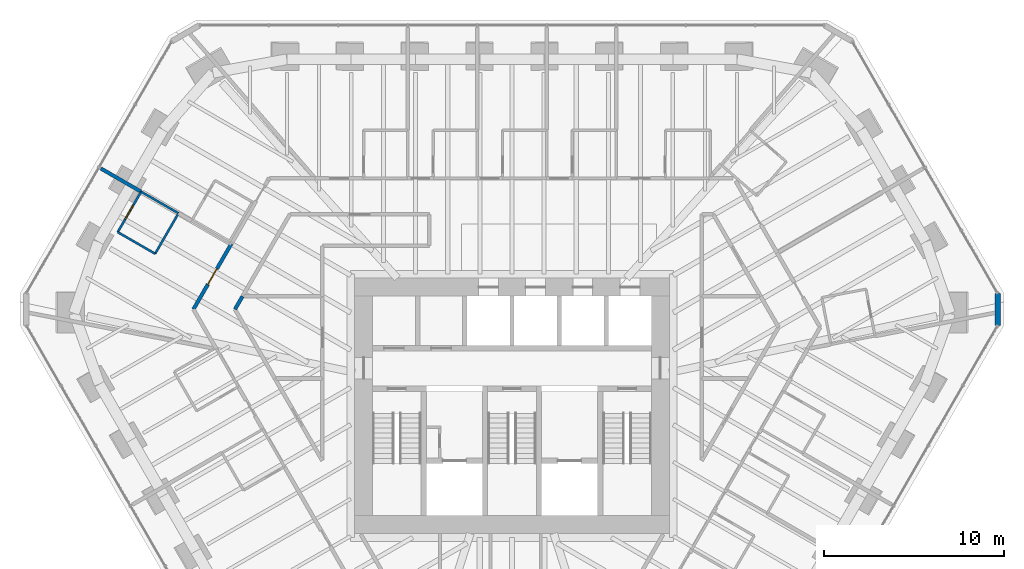
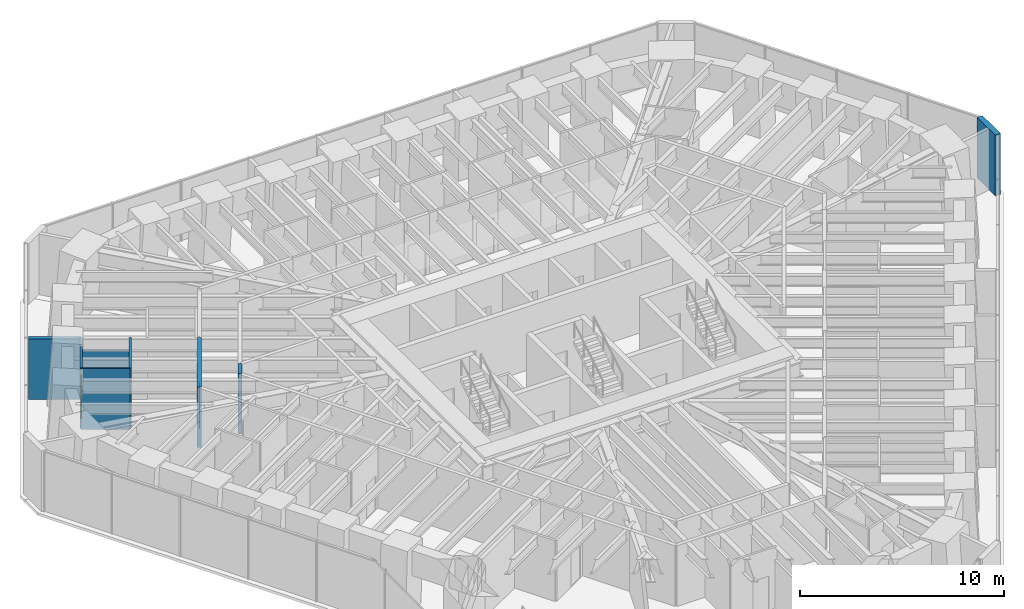
# One storey, part 14 of 17: 8 walls, 2 doors, 2 openings.
"""IFC4 building model written with IfcOpenShell, lengths in metres."""

import ifcopenshell
import ifcopenshell.guid

model = None  # the IFC model being written
_history = None  # IfcOwnerHistory: only IFC2X3 demands one
_inside = {}  # id of a spatial element -> (the spatial element, [elements in it])
_under = {}  # id of a project, library or spatial element -> (it, [spatial elements below it])
_declared = {}  # id of a project -> (the project, [libraries it declares])
_typed = {}  # id of a type object -> (the type object, [elements of that type])
_made_of = {}  # id of a material, layer set ... -> (it, [elements and type objects made of it])


def new_model(schema):
    """Start an empty IFC model of exactly this schema.

    Asked for "IFC4X3", IfcOpenShell would pick the latest addendum, in which some entities
    have other attributes; the version numbers below select the first issue.
    IFC2X3 requires an IfcOwnerHistory on every rooted entity: one is made here for all.
    """
    global model, _history
    if schema == "IFC4X3":
        model = ifcopenshell.file(schema_version=(4, 3, 0, 0))
    else:
        model = ifcopenshell.file(schema=schema)
    _inside.clear()
    _under.clear()
    _declared.clear()
    _typed.clear()
    _made_of.clear()
    _history = None
    if model.schema == "IFC2X3":
        org = make("IfcOrganization", Name="unknown")
        user = make(
            "IfcPersonAndOrganization",
            ThePerson=make("IfcPerson", FamilyName="unknown"),
            TheOrganization=org,
        )
        app = make(
            "IfcApplication",
            ApplicationDeveloper=org,
            Version="unknown",
            ApplicationFullName="unknown",
            ApplicationIdentifier="unknown",
        )
        _history = make(
            "IfcOwnerHistory",
            OwningUser=user,
            OwningApplication=app,
            ChangeAction="ADDED",
            CreationDate=0,
        )
    return model


def make(cls, **values):
    """One entity of the class cls with the attributes given. An attribute that is None is left unset."""
    return model.create_entity(
        cls, **{name: value for name, value in values.items() if value is not None}
    )


def rooted(cls, **values):
    """An entity with a GlobalId (a new one), such as an element, a storey or a relation."""
    return make(cls, GlobalId=ifcopenshell.guid.new(), OwnerHistory=_history, **values)


def si_unit(unit_type, name, prefix=None):
    """IfcSIUnit, for example si_unit("LENGTHUNIT", "METRE", prefix="MILLI")."""
    return make("IfcSIUnit", UnitType=unit_type, Prefix=prefix, Name=name)


def assignment(units):
    """IfcUnitAssignment: the units of a project."""
    return None if units is None else make("IfcUnitAssignment", Units=units)


def point(xyz):
    """IfcCartesianPoint."""
    return None if xyz is None else make("IfcCartesianPoint", Coordinates=xyz)


def direction(xyz):
    """IfcDirection."""
    return None if xyz is None else make("IfcDirection", DirectionRatios=xyz)


def frame(location, z_axis=None, x_axis=None):
    """IfcAxis2Placement3D, a coordinate frame: its origin and axes. An axis left out is left unset."""
    return make(
        "IfcAxis2Placement3D",
        Location=point(location),
        Axis=direction(z_axis),
        RefDirection=direction(x_axis),
    )


def frame_2d(location, x_axis=None):
    """IfcAxis2Placement2D, a coordinate frame in the plane: its origin and x axis."""
    return make(
        "IfcAxis2Placement2D", Location=point(location), RefDirection=direction(x_axis)
    )


def origin():
    """The frame at (0, 0, 0) with its axes left unset."""
    return frame((0.0, 0.0, 0.0))


def place(relative_to, where):
    """IfcLocalPlacement: puts the frame where relative to a parent placement (None: the world)."""
    return make(
        "IfcLocalPlacement", PlacementRelTo=relative_to, RelativePlacement=where
    )


def context(
    kind, dimensions, precision=None, world=None, true_north=None, identifier=None
):
    """IfcGeometricRepresentationContext, for example the 3D "Model" context."""
    return make(
        "IfcGeometricRepresentationContext",
        ContextIdentifier=identifier,
        ContextType=kind,
        CoordinateSpaceDimension=dimensions,
        Precision=precision,
        WorldCoordinateSystem=world,
        TrueNorth=true_north,
    )


def subcontext(parent, identifier, kind, view, scale=None):
    """IfcGeometricRepresentationSubContext, for example "Body" below "Model"."""
    return make(
        "IfcGeometricRepresentationSubContext",
        ContextIdentifier=identifier,
        ContextType=kind,
        ParentContext=parent,
        TargetScale=scale,
        TargetView=view,
    )


def project(units=None, contexts=None):
    """IfcProject with its units and contexts."""
    return rooted(
        "IfcProject",
        Name="project",
        RepresentationContexts=contexts,
        UnitsInContext=assignment(units),
    )


def spatial(cls, under=None, at=None, **own):
    """A site, building, storey or space (cls), placed at a placement, below another one or the project."""
    s = rooted(cls, ObjectPlacement=at, **own)
    if under is not None:
        _under.setdefault(under.id(), (under, []))[1].append(s)
    return s


def profile(cls, at=None, kind="AREA", **sizes):
    """A parametric profile (cls). Its sizes go by their IFC names, for example OverallWidth=200.0."""
    return make(cls, ProfileType=kind, Position=at, **sizes)


def rectangle(**sizes):
    """IfcRectangleProfileDef."""
    return profile("IfcRectangleProfileDef", **sizes)


def extrude(swept, where, along, depth):
    """IfcExtrudedAreaSolid: the profile swept, set in the frame where, extruded along a direction by depth."""
    return make(
        "IfcExtrudedAreaSolid",
        SweptArea=swept,
        Position=where,
        ExtrudedDirection=direction(along),
        Depth=depth,
    )


def shape(context_of_items, identifier, shape_type, items):
    """IfcShapeRepresentation: the items that make up one representation, for example the "Body"."""
    return make(
        "IfcShapeRepresentation",
        ContextOfItems=context_of_items,
        RepresentationIdentifier=identifier,
        RepresentationType=shape_type,
        Items=items,
    )


def material(Name=None, Category=None):
    """IfcMaterial."""
    return make("IfcMaterial", Name=Name, Category=Category)


def layer(
    of_material, thickness, ventilated=None, Name=None, Category=None, Priority=None
):
    """IfcMaterialLayer: one layer of a wall or slab, of a material (None: an air gap)."""
    return make(
        "IfcMaterialLayer",
        Material=of_material,
        LayerThickness=thickness,
        IsVentilated=ventilated,
        Name=Name,
        Category=Category,
        Priority=Priority,
    )


def layer_set(layers, Name=None):
    """IfcMaterialLayerSet."""
    return make("IfcMaterialLayerSet", MaterialLayers=layers, LayerSetName=Name)


def made_of(thing, what):
    """Note that an element or type object is made of a material, layer set ...; save() writes the relation."""
    if what is not None:
        _made_of.setdefault(what.id(), (what, []))[1].append(thing)
    return thing


def type_object(cls, material=None, **own):
    """A type object (cls), such as IfcWallType, which elements share."""
    return made_of(rooted(cls, **own), material)


def element(
    cls,
    number,
    at=None,
    inside=None,
    cuts=None,
    type_object=None,
    material=None,
    context=None,
    identifier="Body",
    shape_type=None,
    held_by="IfcProductDefinitionShape",
    body=None,
    shapes=None,
    **own,
):
    """One element of the class cls, such as IfcWall. Its Tag is "e" and its number.

    at: its placement. inside: the storey or other place that contains it. cuts: it is an
    opening in that element (IfcRelVoidsElement). A single representation is given by context,
    identifier, shape_type and body (its items); several are given by shapes. held_by: the class
    of the entity that holds the representations. save() writes the other relations.
    """
    e = rooted(cls, Tag="e%d" % number, ObjectPlacement=at, **own)
    if body is not None:
        shapes = [shape(context, identifier, shape_type, body)]
    if shapes is not None:
        e.Representation = make(held_by, Representations=shapes)
    if inside is not None:
        _inside.setdefault(inside.id(), (inside, []))[1].append(e)
    if cuts is not None:
        rooted(
            "IfcRelVoidsElement", RelatingBuildingElement=cuts, RelatedOpeningElement=e
        )
    if type_object is not None:
        _typed.setdefault(type_object.id(), (type_object, []))[1].append(e)
    return made_of(e, material)


def fill(opening, filler):
    """IfcRelFillsElement: the door or window that sits in an opening."""
    return rooted(
        "IfcRelFillsElement",
        RelatingOpeningElement=opening,
        RelatedBuildingElement=filler,
    )


def aggregate(whole, parts):
    """IfcRelAggregates: a whole, such as a stair, and the parts it consists of."""
    return rooted("IfcRelAggregates", RelatingObject=whole, RelatedObjects=parts)


def save(model, path):
    """Write the relations noted so far, then the file.

    IfcRelAggregates (storeys below a building ...), IfcRelContainedInSpatialStructure (elements
    in a storey), IfcRelDefinesByType, IfcRelAssociatesMaterial and IfcRelDeclares: one each for
    every whole, place, type object, material and project.
    """
    for whole, parts in _under.values():
        aggregate(whole, parts)
    for where, things in _inside.values():
        rooted(
            "IfcRelContainedInSpatialStructure",
            RelatedElements=things,
            RelatingStructure=where,
        )
    for kind, things in _typed.values():
        rooted("IfcRelDefinesByType", RelatedObjects=things, RelatingType=kind)
    for what, things in _made_of.values():
        rooted("IfcRelAssociatesMaterial", RelatedObjects=things, RelatingMaterial=what)
    for by, libraries in _declared.values():
        rooted("IfcRelDeclares", RelatingContext=by, RelatedDefinitions=libraries)
    model.write(path)


model = new_model("IFC4")

# Units and contexts
model_context = context("Model", 3, precision=1e-05, world=origin(), true_north=direction((0.0, 1.0)))
body_context = subcontext(model_context, "Body", "Model", "MODEL_VIEW")
ifc_project = project(units=[si_unit("LENGTHUNIT", "METRE"), si_unit("AREAUNIT", "SQUARE_METRE"), si_unit("VOLUMEUNIT", "CUBIC_METRE"), si_unit("PLANEANGLEUNIT", "RADIAN"), si_unit("MASSUNIT", "GRAM", prefix="KILO")], contexts=[model_context])

# Site, building, storey
site_placement = place(None, origin())
site = spatial("IfcSite", under=ifc_project, at=site_placement, CompositionType="ELEMENT")
building_placement = place(site_placement, origin())
building = spatial("IfcBuilding", under=site, at=building_placement, Name="Sandreach Pilgrim Tower", CompositionType="ELEMENT")
storey_placement = place(building_placement, frame((0.0, 0.0, 240.199951171875)))
storey = spatial("IfcBuildingStorey", under=building, at=storey_placement, Name="L60", CompositionType="ELEMENT", Elevation=240.199951171875)

# Wall
ifc_material_1 = material(Name="Moisture-resistant gypsum board on steel studs", Category="steel")
ifc_layer_1 = layer(ifc_material_1, 0.1201171875)
ifc_layer_set_1 = layer_set([ifc_layer_1], Name="Bathroom partition 120")
wall_type_1 = type_object("IfcWallType", Name="Bathroom partition 120", PredefinedType="PARTITIONING", material=ifc_layer_set_1)
wall_1_placement = place(storey_placement, frame((-21.929931640625, 9.659912109375, 0.0), z_axis=(0.0, 0.0, 1.0), x_axis=(0.866177122335, -0.499737123639, 0.0)))
element("IfcWall", 1, at=wall_1_placement, inside=storey, type_object=wall_type_1, Name="Bathroom partition L60-003", PredefinedType="PARTITIONING", context=body_context, shape_type="SweptSolid", body=[
    extrude(rectangle(XDim=2.401123046875, YDim=0.1201171875, at=frame_2d((1.20068359375, 0.0))), origin(), (0.0, 0.0, 1.0), 3.64013671875),
])

# Wall, opening, door
wall_2_placement = place(storey_placement, frame((-20.6298828125, 11.909912109375, 0.0), z_axis=(0.0, 0.0, 1.0), x_axis=(-0.500291685314, -0.865856933682, 0.0)))
wall_2 = element("IfcWall", 2, at=wall_2_placement, inside=storey, type_object=wall_type_1, Name="Bathroom partition L60-005", PredefinedType="PARTITIONING", context=body_context, shape_type="SweptSolid", body=[
    extrude(rectangle(XDim=2.5986328125, YDim=0.1201171875, at=frame_2d((1.29931640625, 0.0))), origin(), (0.0, 0.0, 1.0), 3.64013671875),
])
opening_1_placement = place(wall_2_placement, frame((0.85009765625, 0.0, 0.0)))
opening_1 = element("IfcOpeningElement", 3, at=opening_1_placement, cuts=wall_2, Name="Opening D09-18B", PredefinedType="OPENING", context=body_context, shape_type="SweptSolid", body=[
    extrude(rectangle(XDim=0.89990234375, YDim=2.030029296875, at=frame_2d((0.449951171875, 1.01513671875))), frame((0.0, 0.06005859375, 0.0), z_axis=(0.0, -1.0, 0.0), x_axis=(1.0, 0.0, 0.0)), (0.0, 0.0, 1.0), 0.1201171875),
])
ifc_material_2 = material(Name="Timber door, steel frame", Category="steel")
door_type_1 = type_object("IfcDoorType", Name="Bathroom door", OperationType="SINGLE_SWING_LEFT", PredefinedType="DOOR", material=ifc_material_2)
door_1_placement = place(opening_1_placement, origin())
door_1 = element("IfcDoor", 4, at=door_1_placement, inside=storey, type_object=door_type_1, Name="Door 6018B", OperationType="SINGLE_SWING_LEFT", OverallHeight=2.030029296875, OverallWidth=0.89990234375, PredefinedType="DOOR", context=body_context, shape_type="SweptSolid", body=[
    extrude(rectangle(XDim=0.89990234375, YDim=2.030029296875, at=frame_2d((0.449951171875, 1.01513671875))), frame((0.0, 0.02490234375, 0.0), z_axis=(0.0, -1.0, 0.0), x_axis=(1.0, 0.0, 0.0)), (0.0, 0.0, 1.0), 0.050048828125),
])
fill(opening_1, door_1)

# Walls
wall_3_placement = place(storey_placement, frame((-20.6298828125, 11.909912109375, 0.0), z_axis=(0.0, 0.0, 1.0), x_axis=(0.866177122335, -0.499737123639, 0.0)))
element("IfcWall", 5, at=wall_3_placement, inside=storey, type_object=wall_type_1, Name="Bathroom partition L60-006", PredefinedType="PARTITIONING", context=body_context, shape_type="SweptSolid", body=[
    extrude(rectangle(XDim=2.401123046875, YDim=0.1201171875, at=frame_2d((1.20068359375, 0.0))), origin(), (0.0, 0.0, 1.0), 2.8779296875),
])
wall_4_placement = place(storey_placement, frame((-19.85009765625, 8.4599609375, 0.0), z_axis=(0.0, 0.0, 1.0), x_axis=(0.500291685314, 0.865856933682, 0.0)))
element("IfcWall", 6, at=wall_4_placement, inside=storey, type_object=wall_type_1, Name="Bathroom partition L60-007", PredefinedType="PARTITIONING", context=body_context, shape_type="SweptSolid", body=[
    extrude(rectangle(XDim=2.5986328125, YDim=0.1201171875, at=frame_2d((1.29931640625, 0.0))), origin(), (0.0, 0.0, 1.0), 3.64013671875),
])

# Wall, opening, door
ifc_material_3 = material(Name="Gypsum board on steel studs, two layers each side", Category="steel")
ifc_layer_2 = layer(ifc_material_3, 0.199951171875)
ifc_layer_set_2 = layer_set([ifc_layer_2], Name="Corridor wall 200")
wall_type_2 = type_object("IfcWallType", Name="Corridor wall 200", PredefinedType="PARTITIONING", material=ifc_layer_set_2)
wall_5_placement = place(storey_placement, frame((-17.719970703125, 5.3701171875, 0.0), z_axis=(0.0, 0.0, 1.0), x_axis=(0.501491408171, 0.865162624904, 0.0)))
wall_5 = element("IfcWall", 7, at=wall_5_placement, inside=storey, type_object=wall_type_2, Name="Corridor wall L60-012", PredefinedType="PARTITIONING", context=body_context, shape_type="SweptSolid", body=[
    extrude(rectangle(XDim=4.207275390625, YDim=0.199951171875, at=frame_2d((2.103515625, 0.0))), origin(), (0.0, 0.0, 1.0), 3.64013671875),
])
opening_2_placement = place(wall_5_placement, frame((1.603759765625, 0.0, 0.0)))
opening_2 = element("IfcOpeningElement", 8, at=opening_2_placement, cuts=wall_5, Name="Opening D10-18", PredefinedType="OPENING", context=body_context, shape_type="SweptSolid", body=[
    extrude(rectangle(XDim=1.0, YDim=2.1298828125, at=frame_2d((0.5, 1.06494140625))), frame((0.0, 0.10009765625, 0.0), z_axis=(0.0, -1.0, 0.0), x_axis=(1.0, 0.0, 0.0)), (0.0, 0.0, 1.0), 0.199951171875),
])
ifc_material_4 = material(Name="Steel door and frame", Category="steel")
door_type_2 = type_object("IfcDoorType", Name="Guest room entry door", OperationType="SINGLE_SWING_LEFT", PredefinedType="DOOR", material=ifc_material_4)
door_2_placement = place(opening_2_placement, origin())
door_2 = element("IfcDoor", 9, at=door_2_placement, inside=storey, type_object=door_type_2, Name="Door 6018", OperationType="SINGLE_SWING_LEFT", OverallHeight=2.1298828125, OverallWidth=1.0, PredefinedType="DOOR", context=body_context, shape_type="SweptSolid", body=[
    extrude(rectangle(XDim=1.0, YDim=2.1298828125, at=frame_2d((0.5, 1.06494140625))), frame((0.0, 0.02490234375, 0.0), z_axis=(0.0, -1.0, 0.0), x_axis=(1.0, 0.0, 0.0)), (0.0, 0.0, 1.0), 0.050048828125),
])
fill(opening_2, door_2)

# Walls
wall_6_placement = place(storey_placement, frame((-15.409912109375, 5.3701171875, 0.0), z_axis=(0.0, 0.0, 1.0), x_axis=(0.503943891868, 0.863736391412, 0.0)))
element("IfcWall", 10, at=wall_6_placement, inside=storey, type_object=wall_type_2, Name="Corridor wall L60-022", PredefinedType="PARTITIONING", context=body_context, shape_type="SweptSolid", body=[
    extrude(rectangle(XDim=0.833251953125, YDim=0.199951171875, at=frame_2d((0.41650390625, 0.0))), origin(), (0.0, 0.0, 1.0), 3.64013671875),
])
ifc_material_5 = material(Name="Double steel stud acoustic wall, gypsum board", Category="steel")
ifc_layer_3 = layer(ifc_material_5, 0.199951171875)
ifc_layer_set_3 = layer_set([ifc_layer_3], Name="Party wall 200")
wall_type_3 = type_object("IfcWallType", Name="Party wall 200", PredefinedType="PARTITIONING", material=ifc_layer_set_3)
wall_7_placement = place(storey_placement, frame((-22.865966796875, 13.199951171875, 0.0), z_axis=(0.0, 0.0, 1.0), x_axis=(0.866187160499, -0.499719724432, 0.0)))
element("IfcWall", 11, at=wall_7_placement, inside=storey, type_object=wall_type_3, Name="Party wall L60-002", PredefinedType="PARTITIONING", context=body_context, shape_type="SweptSolid", body=[
    extrude(rectangle(XDim=2.58154296875, YDim=0.199951171875, at=frame_2d((1.290771484375, 0.0))), origin(), (0.0, 0.0, 1.0), 3.64013671875),
])
ifc_material_6 = material(Name="Terracotta rainscreen on concrete", Category="masonry")
ifc_layer_4 = layer(ifc_material_6, 0.300048828125)
ifc_layer_set_4 = layer_set([ifc_layer_4], Name="Terracotta chamfer pier")
wall_type_4 = type_object("IfcWallType", Name="Terracotta chamfer pier", PredefinedType="SOLIDWALL", material=ifc_layer_set_4)
wall_8_placement = place(storey_placement, frame((27.02001953125, 6.25, 0.0), z_axis=(0.0, 0.0, 1.0), x_axis=(0.0, -1.0, 0.0)))
element("IfcWall", 12, at=wall_8_placement, inside=storey, type_object=wall_type_4, Name="Chamfer pier L60 NE", PredefinedType="SOLIDWALL", context=body_context, shape_type="SweptSolid", body=[
    extrude(rectangle(XDim=1.77001953125, YDim=0.300048828125, at=frame_2d((0.885009765625, 0.0))), origin(), (0.0, 0.0, 1.0), 3.64013671875),
])

save(model, "model.ifc")
